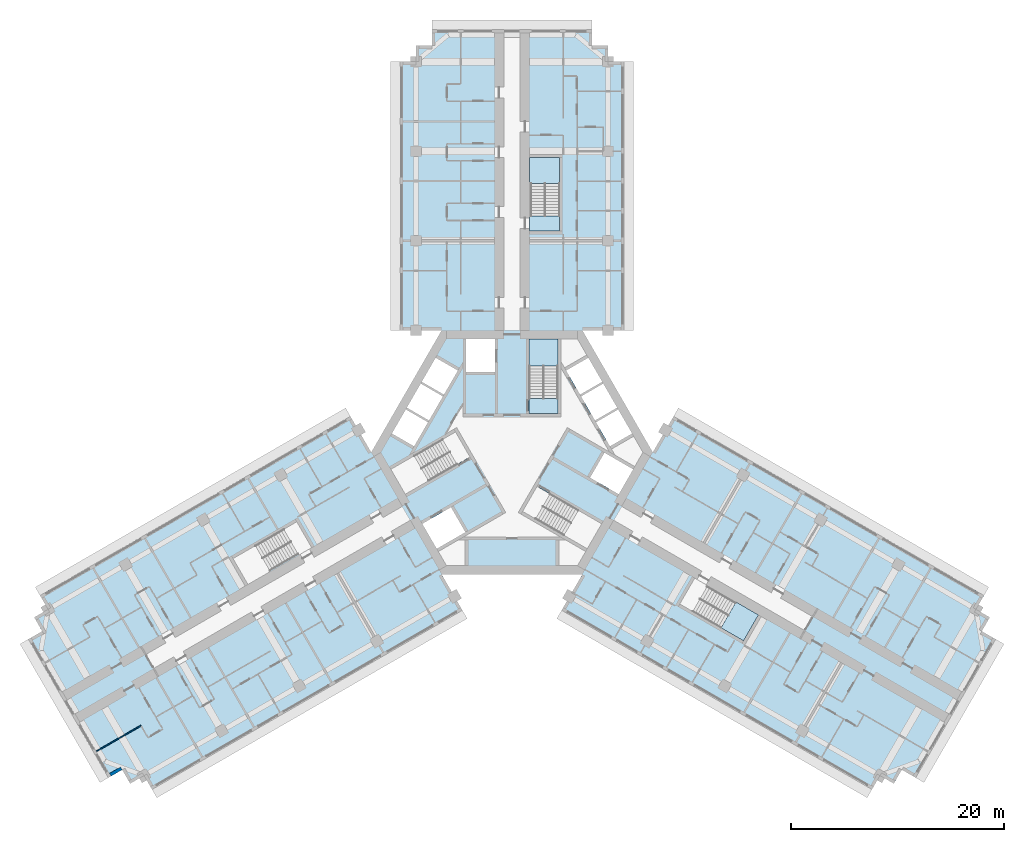
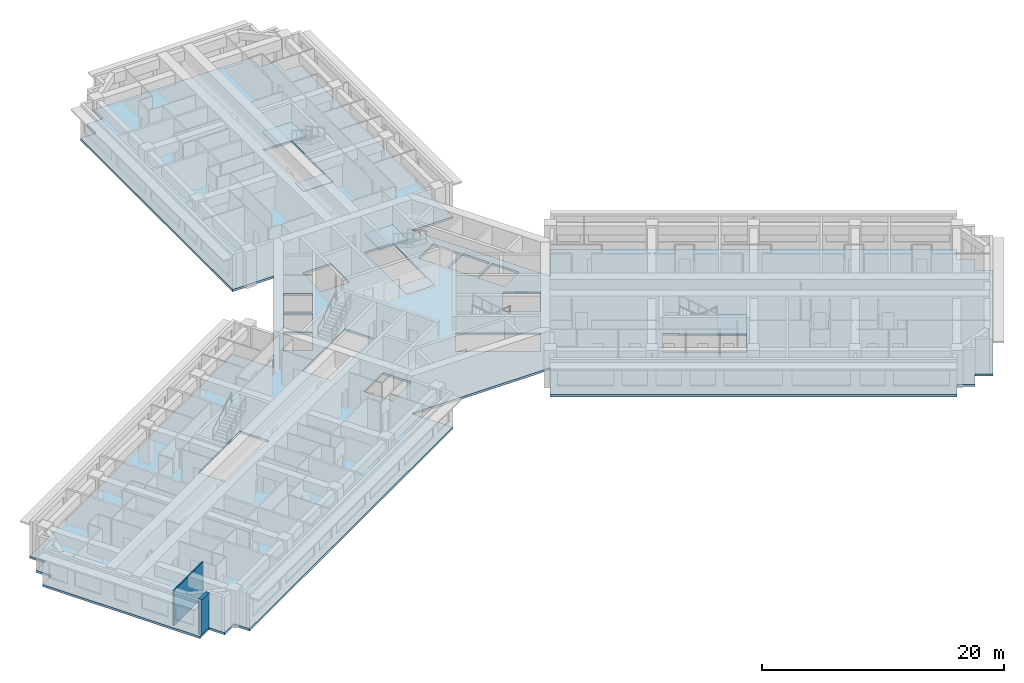
# One storey, part 2 of 15: 6 slabs, 2 walls, 3 elements without a shape of their own.
"""IFC4 building model written with IfcOpenShell, lengths in metres."""

import ifcopenshell
import ifcopenshell.guid

model = None  # the IFC model being written
_history = None  # IfcOwnerHistory: only IFC2X3 demands one
_inside = {}  # id of a spatial element -> (the spatial element, [elements in it])
_under = {}  # id of a project, library or spatial element -> (it, [spatial elements below it])
_declared = {}  # id of a project -> (the project, [libraries it declares])
_typed = {}  # id of a type object -> (the type object, [elements of that type])
_made_of = {}  # id of a material, layer set ... -> (it, [elements and type objects made of it])


def new_model(schema):
    """Start an empty IFC model of exactly this schema.

    Asked for "IFC4X3", IfcOpenShell would pick the latest addendum, in which some entities
    have other attributes; the version numbers below select the first issue.
    IFC2X3 requires an IfcOwnerHistory on every rooted entity: one is made here for all.
    """
    global model, _history
    if schema == "IFC4X3":
        model = ifcopenshell.file(schema_version=(4, 3, 0, 0))
    else:
        model = ifcopenshell.file(schema=schema)
    _inside.clear()
    _under.clear()
    _declared.clear()
    _typed.clear()
    _made_of.clear()
    _history = None
    if model.schema == "IFC2X3":
        org = make("IfcOrganization", Name="unknown")
        user = make(
            "IfcPersonAndOrganization",
            ThePerson=make("IfcPerson", FamilyName="unknown"),
            TheOrganization=org,
        )
        app = make(
            "IfcApplication",
            ApplicationDeveloper=org,
            Version="unknown",
            ApplicationFullName="unknown",
            ApplicationIdentifier="unknown",
        )
        _history = make(
            "IfcOwnerHistory",
            OwningUser=user,
            OwningApplication=app,
            ChangeAction="ADDED",
            CreationDate=0,
        )
    return model


def make(cls, **values):
    """One entity of the class cls with the attributes given. An attribute that is None is left unset."""
    return model.create_entity(
        cls, **{name: value for name, value in values.items() if value is not None}
    )


def rooted(cls, **values):
    """An entity with a GlobalId (a new one), such as an element, a storey or a relation."""
    return make(cls, GlobalId=ifcopenshell.guid.new(), OwnerHistory=_history, **values)


def si_unit(unit_type, name, prefix=None):
    """IfcSIUnit, for example si_unit("LENGTHUNIT", "METRE", prefix="MILLI")."""
    return make("IfcSIUnit", UnitType=unit_type, Prefix=prefix, Name=name)


def assignment(units):
    """IfcUnitAssignment: the units of a project."""
    return None if units is None else make("IfcUnitAssignment", Units=units)


def point(xyz):
    """IfcCartesianPoint."""
    return None if xyz is None else make("IfcCartesianPoint", Coordinates=xyz)


def direction(xyz):
    """IfcDirection."""
    return None if xyz is None else make("IfcDirection", DirectionRatios=xyz)


def frame(location, z_axis=None, x_axis=None):
    """IfcAxis2Placement3D, a coordinate frame: its origin and axes. An axis left out is left unset."""
    return make(
        "IfcAxis2Placement3D",
        Location=point(location),
        Axis=direction(z_axis),
        RefDirection=direction(x_axis),
    )


def frame_2d(location, x_axis=None):
    """IfcAxis2Placement2D, a coordinate frame in the plane: its origin and x axis."""
    return make(
        "IfcAxis2Placement2D", Location=point(location), RefDirection=direction(x_axis)
    )


def origin():
    """The frame at (0, 0, 0) with its axes left unset."""
    return frame((0.0, 0.0, 0.0))


def place(relative_to, where):
    """IfcLocalPlacement: puts the frame where relative to a parent placement (None: the world)."""
    return make(
        "IfcLocalPlacement", PlacementRelTo=relative_to, RelativePlacement=where
    )


def context(
    kind, dimensions, precision=None, world=None, true_north=None, identifier=None
):
    """IfcGeometricRepresentationContext, for example the 3D "Model" context."""
    return make(
        "IfcGeometricRepresentationContext",
        ContextIdentifier=identifier,
        ContextType=kind,
        CoordinateSpaceDimension=dimensions,
        Precision=precision,
        WorldCoordinateSystem=world,
        TrueNorth=true_north,
    )


def subcontext(parent, identifier, kind, view, scale=None):
    """IfcGeometricRepresentationSubContext, for example "Body" below "Model"."""
    return make(
        "IfcGeometricRepresentationSubContext",
        ContextIdentifier=identifier,
        ContextType=kind,
        ParentContext=parent,
        TargetScale=scale,
        TargetView=view,
    )


def project(units=None, contexts=None):
    """IfcProject with its units and contexts."""
    return rooted(
        "IfcProject",
        Name="project",
        RepresentationContexts=contexts,
        UnitsInContext=assignment(units),
    )


def spatial(cls, under=None, at=None, **own):
    """A site, building, storey or space (cls), placed at a placement, below another one or the project."""
    s = rooted(cls, ObjectPlacement=at, **own)
    if under is not None:
        _under.setdefault(under.id(), (under, []))[1].append(s)
    return s


def polyline(points):
    """IfcPolyline through the points."""
    return make("IfcPolyline", Points=[point(p) for p in points])


def profile(cls, at=None, kind="AREA", **sizes):
    """A parametric profile (cls). Its sizes go by their IFC names, for example OverallWidth=200.0."""
    return make(cls, ProfileType=kind, Position=at, **sizes)


def rectangle(**sizes):
    """IfcRectangleProfileDef."""
    return profile("IfcRectangleProfileDef", **sizes)


def outline(outer, holes=None, kind="AREA"):
    """IfcArbitraryClosedProfileDef: a profile drawn as a closed curve; with holes, ...WithVoids."""
    if holes is None:
        return make("IfcArbitraryClosedProfileDef", ProfileType=kind, OuterCurve=outer)
    return make(
        "IfcArbitraryProfileDefWithVoids",
        ProfileType=kind,
        OuterCurve=outer,
        InnerCurves=holes,
    )


def extrude(swept, where, along, depth):
    """IfcExtrudedAreaSolid: the profile swept, set in the frame where, extruded along a direction by depth."""
    return make(
        "IfcExtrudedAreaSolid",
        SweptArea=swept,
        Position=where,
        ExtrudedDirection=direction(along),
        Depth=depth,
    )


def shape(context_of_items, identifier, shape_type, items):
    """IfcShapeRepresentation: the items that make up one representation, for example the "Body"."""
    return make(
        "IfcShapeRepresentation",
        ContextOfItems=context_of_items,
        RepresentationIdentifier=identifier,
        RepresentationType=shape_type,
        Items=items,
    )


def material(Name=None, Category=None):
    """IfcMaterial."""
    return make("IfcMaterial", Name=Name, Category=Category)


def layer(
    of_material, thickness, ventilated=None, Name=None, Category=None, Priority=None
):
    """IfcMaterialLayer: one layer of a wall or slab, of a material (None: an air gap)."""
    return make(
        "IfcMaterialLayer",
        Material=of_material,
        LayerThickness=thickness,
        IsVentilated=ventilated,
        Name=Name,
        Category=Category,
        Priority=Priority,
    )


def layer_set(layers, Name=None):
    """IfcMaterialLayerSet."""
    return make("IfcMaterialLayerSet", MaterialLayers=layers, LayerSetName=Name)


def made_of(thing, what):
    """Note that an element or type object is made of a material, layer set ...; save() writes the relation."""
    if what is not None:
        _made_of.setdefault(what.id(), (what, []))[1].append(thing)
    return thing


def type_object(cls, material=None, **own):
    """A type object (cls), such as IfcWallType, which elements share."""
    return made_of(rooted(cls, **own), material)


def element(
    cls,
    number,
    at=None,
    inside=None,
    cuts=None,
    type_object=None,
    material=None,
    context=None,
    identifier="Body",
    shape_type=None,
    held_by="IfcProductDefinitionShape",
    body=None,
    shapes=None,
    **own,
):
    """One element of the class cls, such as IfcWall. Its Tag is "e" and its number.

    at: its placement. inside: the storey or other place that contains it. cuts: it is an
    opening in that element (IfcRelVoidsElement). A single representation is given by context,
    identifier, shape_type and body (its items); several are given by shapes. held_by: the class
    of the entity that holds the representations. save() writes the other relations.
    """
    e = rooted(cls, Tag="e%d" % number, ObjectPlacement=at, **own)
    if body is not None:
        shapes = [shape(context, identifier, shape_type, body)]
    if shapes is not None:
        e.Representation = make(held_by, Representations=shapes)
    if inside is not None:
        _inside.setdefault(inside.id(), (inside, []))[1].append(e)
    if cuts is not None:
        rooted(
            "IfcRelVoidsElement", RelatingBuildingElement=cuts, RelatedOpeningElement=e
        )
    if type_object is not None:
        _typed.setdefault(type_object.id(), (type_object, []))[1].append(e)
    return made_of(e, material)


def aggregate(whole, parts):
    """IfcRelAggregates: a whole, such as a stair, and the parts it consists of."""
    return rooted("IfcRelAggregates", RelatingObject=whole, RelatedObjects=parts)


def save(model, path):
    """Write the relations noted so far, then the file.

    IfcRelAggregates (storeys below a building ...), IfcRelContainedInSpatialStructure (elements
    in a storey), IfcRelDefinesByType, IfcRelAssociatesMaterial and IfcRelDeclares: one each for
    every whole, place, type object, material and project.
    """
    for whole, parts in _under.values():
        aggregate(whole, parts)
    for where, things in _inside.values():
        rooted(
            "IfcRelContainedInSpatialStructure",
            RelatedElements=things,
            RelatingStructure=where,
        )
    for kind, things in _typed.values():
        rooted("IfcRelDefinesByType", RelatedObjects=things, RelatingType=kind)
    for what, things in _made_of.values():
        rooted("IfcRelAssociatesMaterial", RelatedObjects=things, RelatingMaterial=what)
    for by, libraries in _declared.values():
        rooted("IfcRelDeclares", RelatingContext=by, RelatedDefinitions=libraries)
    model.write(path)


model = new_model("IFC4")

# Units and contexts
model_context = context("Model", 3, precision=1e-05, world=origin(), true_north=direction((0.0, 1.0)))
body_context = subcontext(model_context, "Body", "Model", "MODEL_VIEW")
ifc_project = project(units=[si_unit("LENGTHUNIT", "METRE"), si_unit("AREAUNIT", "SQUARE_METRE"), si_unit("VOLUMEUNIT", "CUBIC_METRE"), si_unit("PLANEANGLEUNIT", "RADIAN"), si_unit("MASSUNIT", "GRAM", prefix="KILO")], contexts=[model_context])

# Site, building, storey
site_placement = place(None, origin())
site = spatial("IfcSite", under=ifc_project, at=site_placement, CompositionType="ELEMENT")
building_placement = place(site_placement, origin())
building = spatial("IfcBuilding", under=site, at=building_placement, Name="Impinga Residences", CompositionType="ELEMENT")
storey_placement = place(building_placement, frame((0.0, 0.0, 109.75)))
storey = spatial("IfcBuildingStorey", under=building, at=storey_placement, Name="L26", CompositionType="ELEMENT", Elevation=109.75)

# Slab
ifc_material_1 = material(Name="Concrete C60/75", Category="concrete")
ifc_layer_1 = layer(ifc_material_1, 0.219970703125)
ifc_layer_set_1 = layer_set([ifc_layer_1], Name="Concrete C60/75")
slab_type_1 = type_object("IfcSlabType", Name="FS1 tower floor slab 220", PredefinedType="FLOOR", material=ifc_layer_set_1)
slab_1_placement = place(storey_placement, frame((0.0, 0.0, -0.219970703125)))
element("IfcSlab", 1, at=slab_1_placement, inside=storey, type_object=slab_type_1, Name="Floor slab FS1 L26", PredefinedType="FLOOR", context=body_context, shape_type="SweptSolid", body=[
    extrude(outline(polyline([(-34.49853515625, -30.31005859375), (-35.797607421875, -31.06005859375), (-36.547607421875, -29.760986328125), (-37.846435546875, -30.510986328125), (-45.346435546875, -17.5205078125), (-44.047607421875, -16.7705078125), (-44.797607421875, -15.471435546875), (-43.49853515625, -14.721435546875), (-44.24853515625, -13.422607421875), (-15.14990234375, 3.37744140625), (-13.199951171875, 0.0), (-6.60009765625, 11.431640625), (-10.5, 11.431640625), (-10.5, 36.631591796875), (-9.0, 36.631591796875), (-9.0, 38.131591796875), (-7.5, 38.131591796875), (-7.5, 39.631591796875), (7.5, 39.631591796875), (7.5, 38.131591796875), (9.0, 38.131591796875), (9.0, 36.631591796875), (10.5, 36.631591796875), (10.5, 11.431640625), (6.60009765625, 11.431640625), (13.199951171875, 0.0), (15.14990234375, 3.37744140625), (44.24853515625, -13.422607421875), (43.49853515625, -14.721435546875), (44.797607421875, -15.471435546875), (44.047607421875, -16.7705078125), (45.346435546875, -17.5205078125), (37.846435546875, -30.510986328125), (36.547607421875, -29.760986328125), (35.797607421875, -31.06005859375), (34.49853515625, -30.31005859375), (33.74853515625, -31.609130859375), (4.64990234375, -14.80908203125), (9.900146484375, -5.7158203125), (6.60009765625, -11.431640625), (-6.60009765625, -11.431640625), (-9.900146484375, -5.7158203125), (-4.64990234375, -14.80908203125), (-33.74853515625, -31.609130859375), (-34.49853515625, -30.31005859375)]), holes=[polyline([(-18.779052734375, -8.936767578125), (-18.8291015625, -8.850341796875), (-18.8291015625, -8.850341796875), (-20.178955078125, -6.511962890625), (-21.391357421875, -7.2119140625), (-21.391357421875, -7.2119140625), (-26.154541015625, -9.9619140625), (-24.8046875, -12.30029296875), (-20.04150390625, -9.55029296875), (-19.991455078125, -9.63671875), (-18.779052734375, -8.936767578125)]), polyline([(-4.37109375, -7.489013671875), (-5.72119140625, -5.150634765625), (-8.4072265625, -6.701416015625), (-7.05712890625, -9.039794921875), (-4.37109375, -7.489013671875)]), polyline([(-3.943603515625, -0.429443359375), (-5.293701171875, 1.908935546875), (-11.357177734375, -1.591796875), (-10.007080078125, -3.93017578125), (-3.943603515625, -0.429443359375)]), polyline([(-7.878662109375, 2.816650390625), (-9.957275390625, 4.016845703125), (-11.257080078125, 1.76513671875), (-9.1787109375, 0.56494140625), (-7.878662109375, 2.816650390625)]), polyline([(-6.478759765625, 5.24169921875), (-8.55712890625, 6.441650390625), (-9.857177734375, 4.18994140625), (-7.77880859375, 2.989990234375), (-6.478759765625, 5.24169921875)]), polyline([(4.300048828125, 3.6298828125), (4.300048828125, 10.631591796875), (1.60009765625, 10.631591796875), (1.60009765625, 3.6298828125), (4.300048828125, 3.6298828125)]), polyline([(-6.378662109375, 5.414794921875), (-5.07861328125, 7.66650390625), (-7.1572265625, 8.866455078125), (-8.457275390625, 6.61474609375), (-6.378662109375, 5.414794921875)]), polyline([(-4.300048828125, 7.530029296875), (-1.60009765625, 7.530029296875), (-1.60009765625, 10.631591796875), (-4.300048828125, 10.631591796875), (-4.300048828125, 7.530029296875)]), polyline([(4.449951171875, 20.7314453125), (4.449951171875, 22.131591796875), (4.449951171875, 27.631591796875), (1.75, 27.631591796875), (1.75, 22.131591796875), (1.64990234375, 22.131591796875), (1.64990234375, 20.7314453125), (1.75, 20.7314453125), (4.449951171875, 20.7314453125)]), polyline([(15.72900390625, -14.219482421875), (21.70458984375, -17.669677734375), (23.0546875, -15.331298828125), (18.29150390625, -12.581298828125), (18.341552734375, -12.49462890625), (17.129150390625, -11.794677734375), (15.72900390625, -14.219482421875)]), polyline([(2.34375, -3.20068359375), (0.99365234375, -5.538818359375), (7.05712890625, -9.039794921875), (8.4072265625, -6.701416015625), (2.34375, -3.20068359375)]), polyline([(7.3212890625, -2.37939453125), (10.007080078125, -3.93017578125), (11.357177734375, -1.591796875), (8.671142578125, -0.041015625), (7.3212890625, -2.37939453125)]), polyline([(7.878662109375, 2.816650390625), (9.1787109375, 0.56494140625), (11.257080078125, 1.76513671875), (9.957275390625, 4.016845703125), (7.878662109375, 2.816650390625)]), polyline([(6.478759765625, 5.24169921875), (7.77880859375, 2.989990234375), (9.857177734375, 4.18994140625), (8.55712890625, 6.441650390625), (6.478759765625, 5.24169921875)]), polyline([(6.378662109375, 5.414794921875), (8.457275390625, 6.61474609375), (7.1572265625, 8.866455078125), (5.07861328125, 7.66650390625), (6.378662109375, 5.414794921875)])]), origin(), (0.0, 0.0, 1.0), 0.219970703125),
])

# Stair, slabs
ifc_material_2 = material(Name="Concrete C40/50", Category="concrete")
stair_type_1 = type_object("IfcStairType", Name="STR core stair 3750 storey, 24 risers", PredefinedType="HALF_TURN_STAIR", material=ifc_material_2)
stair_1_placement = place(storey_placement, origin())
stair_1 = element("IfcStair", 2, at=stair_1_placement, inside=storey, type_object=stair_type_1, Name="Stair ST1 L26", PredefinedType="HALF_TURN_STAIR")
ifc_layer_2 = layer(ifc_material_2, 0.199951171875)
ifc_layer_set_2 = layer_set([ifc_layer_2], Name="Concrete C40/50")
slab_type_2 = type_object("IfcSlabType", Name="LS1 stair landing 200", PredefinedType="LANDING", material=ifc_layer_set_2)
slab_2_placement = place(storey_placement, frame((0.0, 0.0, -0.199951171875)))
slab_2 = element("IfcSlab", 3, at=slab_2_placement, type_object=slab_type_2, Name="ST1 landing 1", PredefinedType="LANDING", context=body_context, shape_type="SweptSolid", body=[
    extrude(outline(polyline([(1.60009765625, 3.6298828125), (4.300048828125, 3.6298828125), (4.300048828125, 5.0400390625), (1.60009765625, 5.0400390625), (1.60009765625, 3.6298828125)])), origin(), (0.0, 0.0, 1.0), 0.199951171875),
])
slab_3_placement = place(storey_placement, frame((0.0, 0.0, 1.675048828125)))
slab_3 = element("IfcSlab", 4, at=slab_3_placement, type_object=slab_type_2, Name="ST1 landing 2", PredefinedType="LANDING", context=body_context, shape_type="SweptSolid", body=[
    extrude(outline(polyline([(1.60009765625, 8.10009765625), (4.300048828125, 8.10009765625), (4.300048828125, 10.631591796875), (1.60009765625, 10.631591796875), (1.60009765625, 8.10009765625)])), origin(), (0.0, 0.0, 1.0), 0.199951171875),
])
aggregate(stair_1, [slab_2, slab_3])

stair_type_2 = type_object("IfcStairType", Name="STR wing stair 3750 storey, 24 risers", PredefinedType="HALF_TURN_STAIR", material=ifc_material_2)
stair_2_placement = place(storey_placement, origin())
stair_2 = element("IfcStair", 5, at=stair_2_placement, inside=storey, type_object=stair_type_2, Name="Stair WS1 L26", PredefinedType="HALF_TURN_STAIR")
slab_4_placement = place(storey_placement, frame((0.0, 0.0, -0.199951171875)))
slab_4 = element("IfcSlab", 6, at=slab_4_placement, type_object=slab_type_2, Name="WS1 landing 1", PredefinedType="LANDING", context=body_context, shape_type="SweptSolid", body=[
    extrude(outline(polyline([(1.64990234375, 20.7314453125), (4.449951171875, 20.7314453125), (4.449951171875, 22.1416015625), (1.64990234375, 22.1416015625), (1.64990234375, 20.7314453125)])), origin(), (0.0, 0.0, 1.0), 0.199951171875),
])
slab_5_placement = place(storey_placement, frame((0.0, 0.0, 1.675048828125)))
slab_5 = element("IfcSlab", 7, at=slab_5_placement, type_object=slab_type_2, Name="WS1 landing 2", PredefinedType="LANDING", context=body_context, shape_type="SweptSolid", body=[
    extrude(outline(polyline([(1.64990234375, 25.201416015625), (4.449951171875, 25.201416015625), (4.449951171875, 27.631591796875), (1.64990234375, 27.631591796875), (1.64990234375, 25.201416015625)])), origin(), (0.0, 0.0, 1.0), 0.199951171875),
])
aggregate(stair_2, [slab_4, slab_5])

# Stair, slab
stair_3_placement = place(storey_placement, origin())
stair_3 = element("IfcStair", 8, at=stair_3_placement, inside=storey, type_object=stair_type_2, Name="Stair WS3 L26", PredefinedType="HALF_TURN_STAIR")
slab_6_placement = place(storey_placement, frame((0.0, 0.0, 1.675048828125)))
slab_6 = element("IfcSlab", 9, at=slab_6_placement, type_object=slab_type_2, Name="WS3 landing 2", PredefinedType="LANDING", context=body_context, shape_type="SweptSolid", body=[
    extrude(outline(polyline([(21.000244140625, -14.02978515625), (19.60009765625, -16.45458984375), (21.70458984375, -17.669677734375), (23.1044921875, -15.24462890625), (21.000244140625, -14.02978515625)])), origin(), (0.0, 0.0, 1.0), 0.199951171875),
])
aggregate(stair_3, [slab_6])

# Walls
ifc_material_3 = material(Name="Terracotta rainscreen on blockwork", Category="masonry")
ifc_layer_3 = layer(ifc_material_3, 0.300048828125)
ifc_layer_set_3 = layer_set([ifc_layer_3], Name="EW1 external wall, terracotta rainscreen on blockwork 300")
wall_type_1 = type_object("IfcWallType", Name="EW1 external wall, terracotta rainscreen on blockwork 300", PredefinedType="SOLIDWALL", material=ifc_layer_set_3)
wall_1_placement = place(storey_placement, frame((-36.626708984375, -29.633544921875, 0.0), z_axis=(0.0, 0.0, 1.0), x_axis=(-0.866059708757, -0.499940577336, 0.0)))
element("IfcWall", 10, at=wall_1_placement, inside=storey, type_object=wall_type_1, Name="External wall EW1 L26", PredefinedType="SOLIDWALL", context=body_context, shape_type="SweptSolid", body=[
    extrude(rectangle(XDim=1.195068359375, YDim=0.300048828125, at=frame_2d((0.59765625, 0.0))), origin(), (0.0, 0.0, 1.0), 3.530029296875),
])
ifc_material_4 = material(Name="Gypsum board on steel studs", Category="steel")
ifc_layer_4 = layer(ifc_material_4, 0.10009765625)
ifc_layer_set_4 = layer_set([ifc_layer_4], Name="Gypsum board on steel studs")
wall_type_2 = type_object("IfcWallType", Name="IP1 partition 100", PredefinedType="PARTITIONING", material=ifc_layer_set_4)
wall_2_placement = place(storey_placement, frame((-34.77978515625, -25.622802734375, 0.0), z_axis=(0.0, 0.0, 1.0), x_axis=(-0.866037363387, -0.499979284789, 0.0)))
element("IfcWall", 11, at=wall_2_placement, inside=storey, type_object=wall_type_2, Name="Partition L26-WA5:DIV1", PredefinedType="PARTITIONING", context=body_context, shape_type="SweptSolid", body=[
    extrude(rectangle(XDim=4.800048828125, YDim=0.10009765625, at=frame_2d((2.39990234375, 0.0))), origin(), (0.0, 0.0, 1.0), 3.530029296875),
])

save(model, "model.ifc")
